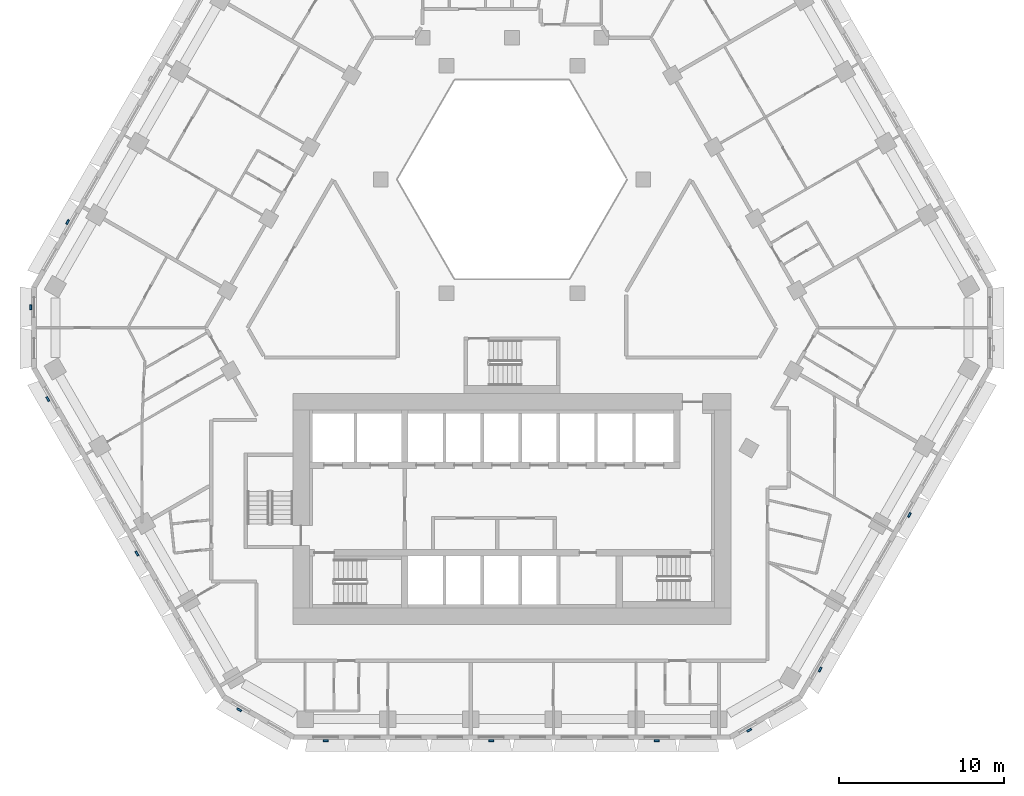
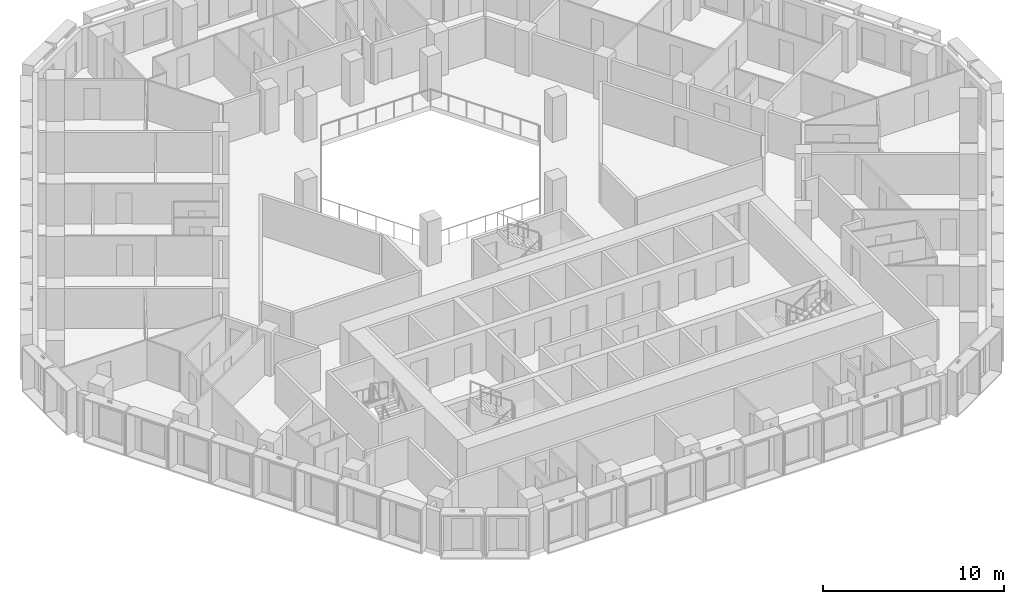
# One storey, part 11 of 18: 11 discrete accessories.
"""IFC4 building model written with IfcOpenShell, lengths in metres."""

from ifc_helpers import new_model, si_unit, direction, frame, origin, place, context, subcontext, project, spatial, polyline, outline, extrude, source, transform, mapped, material, type_object, type_shapes, element, save


model = new_model("IFC4")

# Units and contexts
model_context = context("Model", 3, precision=1e-05, world=origin(), true_north=direction((0.0, 1.0)))
body_context = subcontext(model_context, "Body", "Model", "MODEL_VIEW")
ifc_project = project(units=[si_unit("LENGTHUNIT", "METRE"), si_unit("AREAUNIT", "SQUARE_METRE"), si_unit("VOLUMEUNIT", "CUBIC_METRE"), si_unit("PLANEANGLEUNIT", "RADIAN"), si_unit("MASSUNIT", "GRAM", prefix="KILO")], contexts=[model_context])

# Site, building, storey
site_placement = place(None, origin())
site = spatial("IfcSite", under=ifc_project, at=site_placement, CompositionType="ELEMENT")
building_placement = place(site_placement, origin())
building = spatial("IfcBuilding", under=site, at=building_placement, Name="Beryl Residences", CompositionType="ELEMENT")
storey_placement = place(building_placement, frame((0.0, 0.0, 75.0)))
storey = spatial("IfcBuildingStorey", under=building, at=storey_placement, Name="L22", CompositionType="ELEMENT", Elevation=75.0)

# Discrete accessories
ifc_material = material(Name="Steel S355", Category="steel")
discrete_accessory_type = type_object("IfcDiscreteAccessoryType", Name="BR1 frame bracket 300 x 120 x 150 mm", PredefinedType="BRACKET", material=ifc_material)
shared_shape = source(origin(), body_context, "Body", "SweptSolid", [
    extrude(outline(polyline([(-0.14990234375, 0.0), (0.14990234375, 0.0), (0.14990234375, 0.1201171875), (-0.14990234375, 0.1201171875), (-0.14990234375, 0.0)])), origin(), (0.0, 0.0, 1.0), 0.14990234375),
])
type_shapes(discrete_accessory_type, [shared_shape])
for number, where, z_axis, x_axis, name in (
    (1, (-26.912109375, 5.387939453125, 2.75), (0.0, 0.0, 1.0), (0.5, 0.866025403784, 0.0), "BR1 bracket L22 NW 9"),
    (2, (-29.156982421875, 0.25, 2.75), (0.0, 0.0, 1.0), (0.0, 1.0, 0.0), "BR1 bracket L22 NW-SW 1"),
    (3, (-28.118896484375, -5.2958984375, 2.75), (0.0, 0.0, 1.0), (-0.5, 0.866025403784, 0.0), "BR1 bracket L22 SW 1"),
    (4, (-22.7060546875, -14.672119140625, 2.75), (0.0, 0.0, 1.0), (-0.5, 0.866025403784, 0.0), "BR1 bracket L22 SW 5"),
    (5, (-16.527099609375, -24.125, 2.75), (0.0, 0.0, 1.0), (-0.866025403784, 0.5, 0.0), "BR1 bracket L22 SW-S 1"),
    (6, (-11.301025390625, -26.0, 2.75), (0.0, 0.0, 1.0), (-1.0, 0.0, 0.0), "BR1 bracket L22 S 1"),
    (7, (-1.2548828125, -26.0, 2.75), (0.0, 0.0, 1.0), (-1.0, 0.0, 0.0), "BR1 bracket L22 S 5"),
    (8, (8.791015625, -26.0, 2.75), (0.0, 0.0, 1.0), (-1.0, 0.0, 0.0), "BR1 bracket L22 S 9"),
    (9, (14.361083984375, -25.375, 2.75), (0.0, 0.0, 1.0), (-0.866025403784, -0.5, 0.0), "BR1 bracket L22 S-SE 1"),
    (10, (18.64697265625, -21.7041015625, 2.75), (0.0, 0.0, 1.0), (-0.5, -0.866025403784, 0.0), "BR1 bracket L22 SE 1"),
    (11, (24.06005859375, -12.327880859375, 2.75), (0.0, 0.0, 1.0), (-0.5, -0.866025403784, 0.0), "BR1 bracket L22 SE 5"),
):
    element("IfcDiscreteAccessory", number, at=place(storey_placement, frame(where, z_axis=z_axis, x_axis=x_axis)), inside=storey, type_object=discrete_accessory_type, Name=name, PredefinedType="BRACKET", context=body_context, shape_type="MappedRepresentation", body=[
        mapped(shared_shape, transform((0.0, 0.0, 0.0))),
    ])

save(model, "model.ifc")
